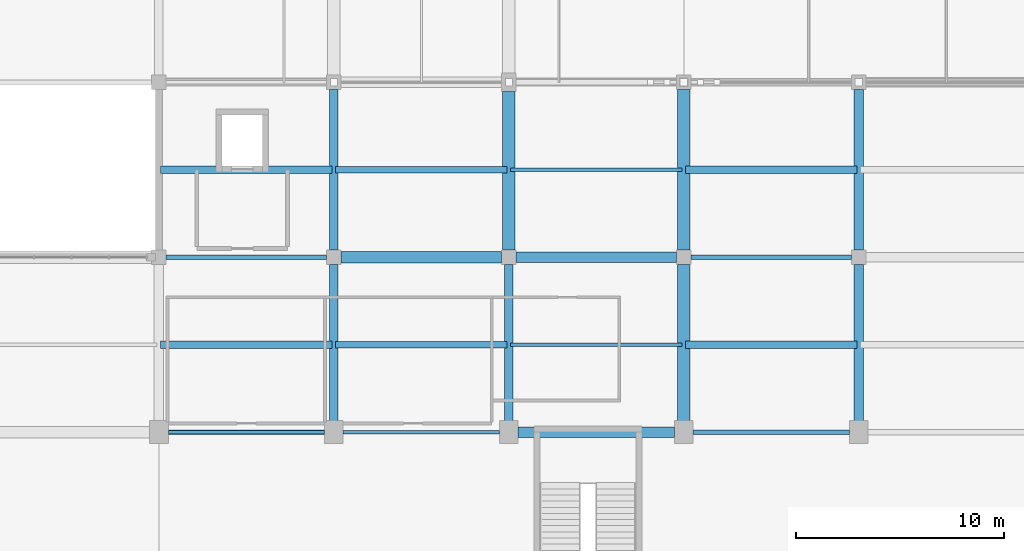
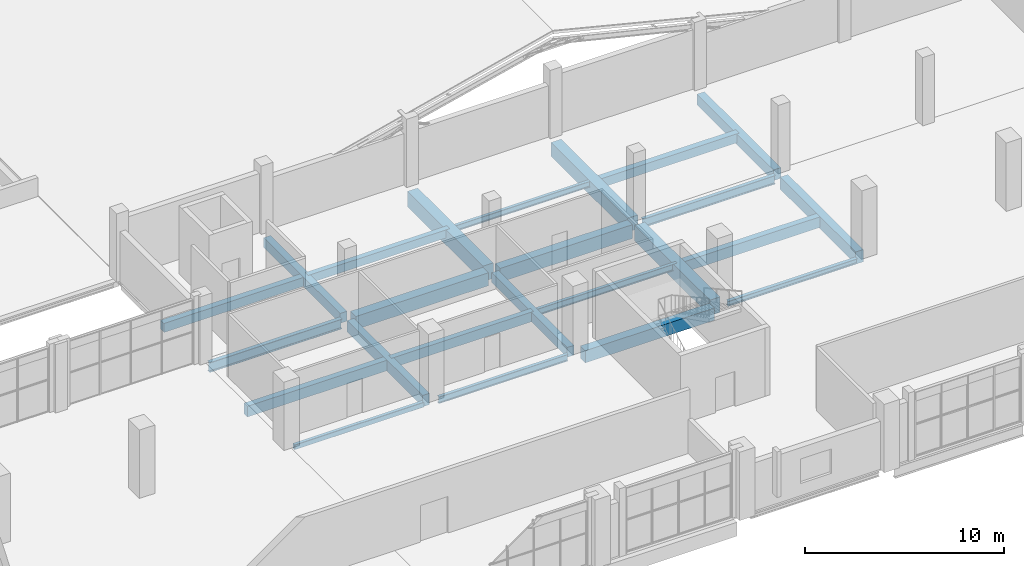
# One storey, part 34 of 64: 24 beams.
"""IFC4 building model written with IfcOpenShell, lengths in metres."""

from ifc_helpers import new_model, si_unit, derived_unit, direction, frame, origin, origin_2d, place, context, subcontext, project, spatial, rectangle, hollow_rectangle, i_section, extrude, material, material_profile, profile_set, type_object, element, save


model = new_model("IFC4")

# Units and contexts
model_context = context("Model", 3, precision=1e-05, world=origin(), true_north=direction((0.0, 1.0)))
body_context = subcontext(model_context, "Body", "Model", "MODEL_VIEW")
ifc_project = project(units=[si_unit("LENGTHUNIT", "METRE"), si_unit("AREAUNIT", "SQUARE_METRE"), si_unit("VOLUMEUNIT", "CUBIC_METRE"), si_unit("PLANEANGLEUNIT", "RADIAN"), si_unit("MASSUNIT", "GRAM", prefix="KILO"), derived_unit("THERMALTRANSMITTANCEUNIT", [(si_unit("POWERUNIT", "WATT"), 1), (si_unit("LENGTHUNIT", "METRE"), -2), (si_unit("THERMODYNAMICTEMPERATUREUNIT", "KELVIN"), -1)])], contexts=[model_context])

# Site, building, storey
site_placement = place(None, origin())
site = spatial("IfcSite", under=ifc_project, at=site_placement, CompositionType="ELEMENT")
building_placement = place(site_placement, origin())
building = spatial("IfcBuilding", under=site, at=building_placement, Name="Barrovel Congress Hotel", CompositionType="ELEMENT")
storey_placement = place(building_placement, frame((0.0, 0.0, 14.10009765625)))
storey = spatial("IfcBuildingStorey", under=building, at=storey_placement, Name="L03", CompositionType="ELEMENT", Elevation=14.10009765625)

# Beams
ifc_material_1 = material(Name="Concrete C40", Category="concrete")
ifc_material_profile_1 = material_profile(ifc_material_1, rectangle(XDim=0.300048828125, YDim=0.5, at=origin_2d()), Name="RC300x500")
ifc_profile_set_1 = profile_set([ifc_material_profile_1], Name="Concrete C40")
beam_type_1 = type_object("IfcBeamType", Name="BM-RC300x500", PredefinedType="JOIST", material=ifc_profile_set_1)
beam_1_placement = place(storey_placement, frame((134.47998046875, 33.60009765625, -0.489990234375), z_axis=(1.0, 0.0, 0.0), x_axis=(0.0, 1.0, 0.0)))
element("IfcBeam", 1, at=beam_1_placement, inside=storey, type_object=beam_type_1, Name="JST:L03:134.4:33.6", PredefinedType="JOIST", context=body_context, shape_type="SweptSolid", body=[
    extrude(rectangle(XDim=0.300048828125, YDim=0.5, at=origin_2d()), origin(), (0.0, 0.0, 1.0), 8.239990234375),
])
ifc_material_profile_2 = material_profile(ifc_material_1, rectangle(XDim=0.300048828125, YDim=0.60009765625, at=origin_2d()), Name="RC300x600")
ifc_profile_set_2 = profile_set([ifc_material_profile_2], Name="Concrete C40")
beam_type_2 = type_object("IfcBeamType", Name="BM-RC300x600", PredefinedType="JOIST", material=ifc_profile_set_2)
beam_2_placement = place(storey_placement, frame((134.47998046875, 25.199951171875, -0.5400390625), z_axis=(1.0, 0.0, 0.0), x_axis=(0.0, 1.0, 0.0)))
element("IfcBeam", 2, at=beam_2_placement, inside=storey, type_object=beam_type_2, Name="JST:L03:134.4:25.2", PredefinedType="JOIST", context=body_context, shape_type="SweptSolid", body=[
    extrude(rectangle(XDim=0.300048828125, YDim=0.60009765625, at=origin_2d()), origin(), (0.0, 0.0, 1.0), 8.239990234375),
])
ifc_material_profile_3 = material_profile(ifc_material_1, rectangle(XDim=0.35009765625, YDim=0.550048828125, at=origin_2d()), Name="RC350x550")
ifc_profile_set_3 = profile_set([ifc_material_profile_3], Name="Concrete C40")
beam_type_3 = type_object("IfcBeamType", Name="BM-RC350x550", PredefinedType="JOIST", material=ifc_profile_set_3)
for number, where, z_axis, x_axis, name in (
    (3, (126.080078125, 33.60009765625, -0.51513671875), (1.0, 0.0, 0.0), (0.0, 1.0, 0.0), "JST:L03:126.0:33.6"),
    (4, (151.280029296875, 33.60009765625, -0.51513671875), (1.0, 0.0, 0.0), (0.0, 1.0, 0.0), "JST:L03:151.2:33.6"),
):
    element("IfcBeam", number, at=place(storey_placement, frame(where, z_axis=z_axis, x_axis=x_axis)), inside=storey, type_object=beam_type_3, Name=name, PredefinedType="JOIST", context=body_context, shape_type="SweptSolid", body=[
        extrude(rectangle(XDim=0.35009765625, YDim=0.550048828125, at=origin_2d()), origin(), (0.0, 0.0, 1.0), 8.239990234375),
    ])
ifc_material_profile_4 = material_profile(ifc_material_1, rectangle(XDim=0.35009765625, YDim=0.64990234375, at=origin_2d()), Name="RC350x650")
ifc_profile_set_4 = profile_set([ifc_material_profile_4], Name="Concrete C40")
beam_type_4 = type_object("IfcBeamType", Name="BM-RC350x650", PredefinedType="JOIST", material=ifc_profile_set_4)
for number, where, z_axis, x_axis, name in (
    (5, (126.080078125, 25.199951171875, -0.565185546875), (1.0, 0.0, 0.0), (0.0, 1.0, 0.0), "JST:L03:126.0:25.2"),
    (6, (151.280029296875, 25.199951171875, -0.565185546875), (1.0, 0.0, 0.0), (0.0, 1.0, 0.0), "JST:L03:151.2:25.2"),
):
    element("IfcBeam", number, at=place(storey_placement, frame(where, z_axis=z_axis, x_axis=x_axis)), inside=storey, type_object=beam_type_4, Name=name, PredefinedType="JOIST", context=body_context, shape_type="SweptSolid", body=[
        extrude(rectangle(XDim=0.35009765625, YDim=0.64990234375, at=origin_2d()), origin(), (0.0, 0.0, 1.0), 8.239990234375),
    ])
ifc_material_profile_5 = material_profile(ifc_material_1, rectangle(XDim=0.39990234375, YDim=0.60009765625, at=origin_2d()), Name="RC400x600")
ifc_profile_set_5 = profile_set([ifc_material_profile_5], Name="Concrete C40")
beam_type_5 = type_object("IfcBeamType", Name="BM-RC400x600", PredefinedType="BEAM", material=ifc_profile_set_5)
beam_3_placement = place(storey_placement, frame((134.39990234375, 29.75, -0.5400390625), z_axis=(0.0, 1.0, 0.0), x_axis=(-1.0, 0.0, 0.0)))
element("IfcBeam", 7, at=beam_3_placement, inside=storey, type_object=beam_type_5, Name="BMY:L03:134.4:29.4-37.8", PredefinedType="BEAM", context=body_context, shape_type="SweptSolid", body=[
    extrude(rectangle(XDim=0.39990234375, YDim=0.60009765625, at=origin_2d()), origin(), (0.0, 0.0, 1.0), 7.699951171875),
])
beam_4_placement = place(storey_placement, frame((142.800048828125, 21.449951171875, -0.5400390625), z_axis=(0.0, 1.0, 0.0), x_axis=(-1.0, 0.0, 0.0)))
element("IfcBeam", 8, at=beam_4_placement, inside=storey, type_object=beam_type_5, Name="BMY:L03:142.8:21.0-29.4", PredefinedType="BEAM", context=body_context, shape_type="SweptSolid", body=[
    extrude(rectangle(XDim=0.39990234375, YDim=0.60009765625, at=origin_2d()), origin(), (0.0, 0.0, 1.0), 7.60009765625),
])
ifc_material_profile_6 = material_profile(ifc_material_1, rectangle(XDim=0.39990234375, YDim=0.699951171875, at=origin_2d()), Name="RC400x700")
ifc_profile_set_6 = profile_set([ifc_material_profile_6], Name="Concrete C40")
beam_type_6 = type_object("IfcBeamType", Name="BM-RC400x700", PredefinedType="BEAM", material=ifc_profile_set_6)
beam_5_placement = place(storey_placement, frame((134.39990234375, 21.449951171875, -0.590087890625), z_axis=(0.0, 1.0, 0.0), x_axis=(-1.0, 0.0, 0.0)))
element("IfcBeam", 9, at=beam_5_placement, inside=storey, type_object=beam_type_6, Name="BMY:L03:134.4:21.0-29.4", PredefinedType="BEAM", context=body_context, shape_type="SweptSolid", body=[
    extrude(rectangle(XDim=0.39990234375, YDim=0.699951171875, at=origin_2d()), origin(), (0.0, 0.0, 1.0), 7.60009765625),
])
ifc_material_profile_7 = material_profile(ifc_material_1, rectangle(XDim=0.449951171875, YDim=0.64990234375, at=origin_2d()), Name="RC450x650")
ifc_profile_set_7 = profile_set([ifc_material_profile_7], Name="Concrete C40")
beam_type_7 = type_object("IfcBeamType", Name="BM-RC450x650", PredefinedType="BEAM", material=ifc_profile_set_7)
beam_6_placement = place(storey_placement, frame((159.60009765625, 29.75, -0.565185546875), z_axis=(0.0, 1.0, 0.0), x_axis=(-1.0, 0.0, 0.0)))
element("IfcBeam", 10, at=beam_6_placement, inside=storey, type_object=beam_type_7, Name="BMY:L03:159.6:29.4-37.8", PredefinedType="BEAM", context=body_context, shape_type="SweptSolid", body=[
    extrude(rectangle(XDim=0.449951171875, YDim=0.64990234375, at=origin_2d()), origin(), (0.0, 0.0, 1.0), 7.699951171875),
])
ifc_material_profile_8 = material_profile(ifc_material_1, rectangle(XDim=0.449951171875, YDim=0.75, at=origin_2d()), Name="RC450x750")
ifc_profile_set_8 = profile_set([ifc_material_profile_8], Name="Concrete C40")
beam_type_8 = type_object("IfcBeamType", Name="BM-RC450x750", PredefinedType="BEAM", material=ifc_profile_set_8)
beam_7_placement = place(storey_placement, frame((159.60009765625, 21.449951171875, -0.614990234375), z_axis=(0.0, 1.0, 0.0), x_axis=(-1.0, 0.0, 0.0)))
element("IfcBeam", 11, at=beam_7_placement, inside=storey, type_object=beam_type_8, Name="BMY:L03:159.6:21.0-29.4", PredefinedType="BEAM", context=body_context, shape_type="SweptSolid", body=[
    extrude(rectangle(XDim=0.449951171875, YDim=0.75, at=origin_2d()), origin(), (0.0, 0.0, 1.0), 7.60009765625),
])
ifc_material_profile_9 = material_profile(ifc_material_1, rectangle(XDim=0.5, YDim=0.75, at=origin_2d()), Name="RC500x750")
ifc_profile_set_9 = profile_set([ifc_material_profile_9], Name="Concrete C40")
beam_type_9 = type_object("IfcBeamType", Name="BM-RC500x750", PredefinedType="BEAM", material=ifc_profile_set_9)
beam_8_placement = place(storey_placement, frame((143.25, 21.0, -0.614990234375), z_axis=(1.0, 0.0, 0.0), x_axis=(0.0, 1.0, 0.0)))
element("IfcBeam", 12, at=beam_8_placement, inside=storey, type_object=beam_type_9, Name="BMX:L03:21.0:142.8-151.2", PredefinedType="BEAM", context=body_context, shape_type="SweptSolid", body=[
    extrude(rectangle(XDim=0.5, YDim=0.75, at=origin_2d()), origin(), (0.0, 0.0, 1.0), 7.5),
])
ifc_material_profile_10 = material_profile(ifc_material_1, rectangle(XDim=0.5, YDim=0.85009765625, at=origin_2d()), Name="RC500x850")
ifc_profile_set_10 = profile_set([ifc_material_profile_10], Name="Concrete C40")
beam_type_10 = type_object("IfcBeamType", Name="BM-RC500x850", PredefinedType="BEAM", material=ifc_profile_set_10)
beam_9_placement = place(storey_placement, frame((143.14990234375, 29.39990234375, -0.6650390625), z_axis=(1.0, 0.0, 0.0), x_axis=(0.0, 1.0, 0.0)))
element("IfcBeam", 13, at=beam_9_placement, inside=storey, type_object=beam_type_10, Name="BMX:L03:29.4:142.8-151.2", PredefinedType="BEAM", context=body_context, shape_type="SweptSolid", body=[
    extrude(rectangle(XDim=0.5, YDim=0.85009765625, at=origin_2d()), origin(), (0.0, 0.0, 1.0), 7.7001953125),
])
ifc_material_profile_11 = material_profile(ifc_material_1, rectangle(XDim=0.550048828125, YDim=0.800048828125, at=origin_2d()), Name="RC550x800")
ifc_profile_set_11 = profile_set([ifc_material_profile_11], Name="Concrete C40")
beam_type_11 = type_object("IfcBeamType", Name="BM-RC550x800", PredefinedType="BEAM", material=ifc_profile_set_11)
beam_10_placement = place(storey_placement, frame((134.75, 29.39990234375, -0.64013671875), z_axis=(1.0, 0.0, 0.0), x_axis=(0.0, 1.0, 0.0)))
element("IfcBeam", 14, at=beam_10_placement, inside=storey, type_object=beam_type_11, Name="BMX:L03:29.4:134.4-142.8", PredefinedType="BEAM", context=body_context, shape_type="SweptSolid", body=[
    extrude(rectangle(XDim=0.550048828125, YDim=0.800048828125, at=origin_2d()), origin(), (0.0, 0.0, 1.0), 7.699951171875),
])
ifc_material_profile_12 = material_profile(ifc_material_1, rectangle(XDim=0.60009765625, YDim=0.85009765625, at=origin_2d()), Name="RC600x850")
ifc_profile_set_12 = profile_set([ifc_material_profile_12], Name="Concrete C40")
beam_type_12 = type_object("IfcBeamType", Name="BM-RC600x850", PredefinedType="BEAM", material=ifc_profile_set_12)
beam_11_placement = place(storey_placement, frame((151.199951171875, 29.75, -0.6650390625), z_axis=(0.0, 1.0, 0.0), x_axis=(-1.0, 0.0, 0.0)))
element("IfcBeam", 15, at=beam_11_placement, inside=storey, type_object=beam_type_12, Name="BMY:L03:151.2:29.4-37.8", PredefinedType="BEAM", context=body_context, shape_type="SweptSolid", body=[
    extrude(rectangle(XDim=0.60009765625, YDim=0.85009765625, at=origin_2d()), origin(), (0.0, 0.0, 1.0), 7.699951171875),
])
ifc_material_profile_13 = material_profile(ifc_material_1, rectangle(XDim=0.60009765625, YDim=0.949951171875, at=origin_2d()), Name="RC600x950")
ifc_profile_set_13 = profile_set([ifc_material_profile_13], Name="Concrete C40")
beam_type_13 = type_object("IfcBeamType", Name="BM-RC600x950", PredefinedType="BEAM", material=ifc_profile_set_13)
for number, where, z_axis, x_axis, name in (
    (16, (142.800048828125, 29.75, -0.715087890625), (0.0, 1.0, 0.0), (-1.0, 0.0, 0.0), "BMY:L03:142.8:29.4-37.8"),
    (17, (151.199951171875, 21.449951171875, -0.715087890625), (0.0, 1.0, 0.0), (-1.0, 0.0, 0.0), "BMY:L03:151.2:21.0-29.4"),
):
    element("IfcBeam", number, at=place(storey_placement, frame(where, z_axis=z_axis, x_axis=x_axis)), inside=storey, type_object=beam_type_13, Name=name, PredefinedType="BEAM", context=body_context, shape_type="SweptSolid", body=[
        extrude(rectangle(XDim=0.60009765625, YDim=0.949951171875, at=origin_2d()), origin(), (0.0, 0.0, 1.0), 7.60009765625),
    ])
ifc_material_2 = material(Name="Steel ASTM A500 Grade C", Category="steel")
ifc_material_profile_14 = material_profile(ifc_material_2, hollow_rectangle(XDim=0.203125, YDim=0.3046875, WallThickness=0.01171875, InnerFilletRadius=0.01171875, OuterFilletRadius=0.023681640625, at=origin_2d()), Name="HSS305x203x12.7")
ifc_profile_set_14 = profile_set([ifc_material_profile_14], Name="Steel ASTM A500 Grade C")
beam_type_14 = type_object("IfcBeamType", Name="SBM-HSS305x203x12.7", PredefinedType="SPANDREL", material=ifc_profile_set_14)
beam_12_placement = place(storey_placement, frame((126.449951171875, 21.0, -0.392578125), z_axis=(1.0, 0.0, 0.0), x_axis=(0.0, 1.0, 0.0)))
element("IfcBeam", 18, at=beam_12_placement, inside=storey, type_object=beam_type_14, Name="BMX:L03:21.0:126.0-134.4", PredefinedType="SPANDREL", context=body_context, shape_type="SweptSolid", body=[
    extrude(hollow_rectangle(XDim=0.203125, YDim=0.3046875, WallThickness=0.01171875, InnerFilletRadius=0.01171875, OuterFilletRadius=0.023681640625, at=origin_2d()), origin(), (0.0, 0.0, 1.0), 7.5),
])
ifc_material_3 = material(Name="Steel ASTM A992 Grade 50", Category="steel")
ifc_material_profile_15 = material_profile(ifc_material_3, i_section(OverallWidth=0.205078125, OverallDepth=0.31005859375, WebThickness=0.009521484375, FlangeThickness=0.016357421875, FilletRadius=0.012939453125, at=origin_2d()), Name="W310x74")
ifc_profile_set_15 = profile_set([ifc_material_profile_15], Name="Steel ASTM A992 Grade 50")
beam_type_15 = type_object("IfcBeamType", Name="SBM-W310x74", PredefinedType="SPANDREL", material=ifc_profile_set_15)
beam_13_placement = place(storey_placement, frame((151.64990234375, 21.0, -0.39501953125), z_axis=(1.0, 0.0, 0.0), x_axis=(0.0, 1.0, 0.0)))
element("IfcBeam", 19, at=beam_13_placement, inside=storey, type_object=beam_type_15, Name="BMX:L03:21.0:151.2-159.6", PredefinedType="SPANDREL", context=body_context, shape_type="SweptSolid", body=[
    extrude(i_section(OverallWidth=0.205078125, OverallDepth=0.31005859375, WebThickness=0.009521484375, FlangeThickness=0.016357421875, FilletRadius=0.012939453125, at=origin_2d()), origin(), (0.0, 0.0, 1.0), 7.5),
])
ifc_material_profile_16 = material_profile(ifc_material_3, i_section(OverallWidth=0.172119140625, OverallDepth=0.35791015625, WebThickness=0.0078125, FlangeThickness=0.01318359375, FilletRadius=0.011962890625, at=origin_2d()), Name="W360x57")
ifc_profile_set_16 = profile_set([ifc_material_profile_16], Name="Steel ASTM A992 Grade 50")
beam_type_16 = type_object("IfcBeamType", Name="SBM-W360x57", PredefinedType="JOIST", material=ifc_profile_set_16)
beam_14_placement = place(storey_placement, frame((142.8798828125, 33.60009765625, -0.419189453125), z_axis=(1.0, 0.0, 0.0), x_axis=(0.0, 1.0, 0.0)))
element("IfcBeam", 20, at=beam_14_placement, inside=storey, type_object=beam_type_16, Name="JST:L03:142.8:33.6", PredefinedType="JOIST", context=body_context, shape_type="SweptSolid", body=[
    extrude(i_section(OverallWidth=0.172119140625, OverallDepth=0.35791015625, WebThickness=0.0078125, FlangeThickness=0.01318359375, FilletRadius=0.011962890625, at=origin_2d()), origin(), (0.0, 0.0, 1.0), 8.240234375),
])
ifc_material_profile_17 = material_profile(ifc_material_3, i_section(OverallWidth=0.177001953125, OverallDepth=0.403076171875, WebThickness=0.007568359375, FlangeThickness=0.010986328125, FilletRadius=0.011962890625, at=origin_2d()), Name="W410x53")
ifc_profile_set_17 = profile_set([ifc_material_profile_17], Name="Steel ASTM A992 Grade 50")
beam_type_17 = type_object("IfcBeamType", Name="SBM-W410x53", PredefinedType="JOIST", material=ifc_profile_set_17)
beam_15_placement = place(storey_placement, frame((142.8798828125, 25.199951171875, -0.441650390625), z_axis=(1.0, 0.0, 0.0), x_axis=(0.0, 1.0, 0.0)))
element("IfcBeam", 21, at=beam_15_placement, inside=storey, type_object=beam_type_17, Name="JST:L03:142.8:25.2", PredefinedType="JOIST", context=body_context, shape_type="SweptSolid", body=[
    extrude(i_section(OverallWidth=0.177001953125, OverallDepth=0.403076171875, WebThickness=0.007568359375, FlangeThickness=0.010986328125, FilletRadius=0.011962890625, at=origin_2d()), origin(), (0.0, 0.0, 1.0), 8.240234375),
])
ifc_material_profile_18 = material_profile(ifc_material_3, i_section(OverallWidth=0.178955078125, OverallDepth=0.409912109375, WebThickness=0.0087890625, FlangeThickness=0.014404296875, FilletRadius=0.011962890625, at=origin_2d()), Name="W410x67")
ifc_profile_set_18 = profile_set([ifc_material_profile_18], Name="Steel ASTM A992 Grade 50")
beam_type_18 = type_object("IfcBeamType", Name="SBM-W410x67", PredefinedType="BEAM", material=ifc_profile_set_18)
beam_16_placement = place(storey_placement, frame((134.85009765625, 21.0, -0.445068359375), z_axis=(1.0, 0.0, 0.0), x_axis=(0.0, 1.0, 0.0)))
element("IfcBeam", 22, at=beam_16_placement, inside=storey, type_object=beam_type_18, Name="BMX:L03:21.0:134.4-142.8", PredefinedType="BEAM", context=body_context, shape_type="SweptSolid", body=[
    extrude(i_section(OverallWidth=0.178955078125, OverallDepth=0.409912109375, WebThickness=0.0087890625, FlangeThickness=0.014404296875, FilletRadius=0.011962890625, at=origin_2d()), origin(), (0.0, 0.0, 1.0), 7.5),
])
ifc_material_profile_19 = material_profile(ifc_material_3, i_section(OverallWidth=0.208984375, OverallDepth=0.529052734375, WebThickness=0.009765625, FlangeThickness=0.013671875, FilletRadius=0.013916015625, at=origin_2d()), Name="W530x74")
ifc_profile_set_19 = profile_set([ifc_material_profile_19], Name="Steel ASTM A992 Grade 50")
beam_type_19 = type_object("IfcBeamType", Name="SBM-W530x74", PredefinedType="BEAM", material=ifc_profile_set_19)
beam_17_placement = place(storey_placement, frame((151.550048828125, 29.39990234375, -0.504638671875), z_axis=(1.0, 0.0, 0.0), x_axis=(0.0, 1.0, 0.0)))
element("IfcBeam", 23, at=beam_17_placement, inside=storey, type_object=beam_type_19, Name="BMX:L03:29.4:151.2-159.6", PredefinedType="BEAM", context=body_context, shape_type="SweptSolid", body=[
    extrude(i_section(OverallWidth=0.208984375, OverallDepth=0.529052734375, WebThickness=0.009765625, FlangeThickness=0.013671875, FilletRadius=0.013916015625, at=origin_2d()), origin(), (0.0, 0.0, 1.0), 7.699951171875),
])
ifc_material_profile_20 = material_profile(ifc_material_3, i_section(OverallWidth=0.22802734375, OverallDepth=0.60302734375, WebThickness=0.010498046875, FlangeThickness=0.014892578125, FilletRadius=0.014892578125, at=origin_2d()), Name="W610x101")
ifc_profile_set_20 = profile_set([ifc_material_profile_20], Name="Steel ASTM A992 Grade 50")
beam_type_20 = type_object("IfcBeamType", Name="SBM-W610x101", PredefinedType="BEAM", material=ifc_profile_set_20)
beam_18_placement = place(storey_placement, frame((126.35009765625, 29.39990234375, -0.54150390625), z_axis=(1.0, 0.0, 0.0), x_axis=(0.0, 1.0, 0.0)))
element("IfcBeam", 24, at=beam_18_placement, inside=storey, type_object=beam_type_20, Name="BMX:L03:29.4:126.0-134.4", PredefinedType="BEAM", context=body_context, shape_type="SweptSolid", body=[
    extrude(i_section(OverallWidth=0.22802734375, OverallDepth=0.60302734375, WebThickness=0.010498046875, FlangeThickness=0.014892578125, FilletRadius=0.014892578125, at=origin_2d()), origin(), (0.0, 0.0, 1.0), 7.699951171875),
])

save(model, "model.ifc")
